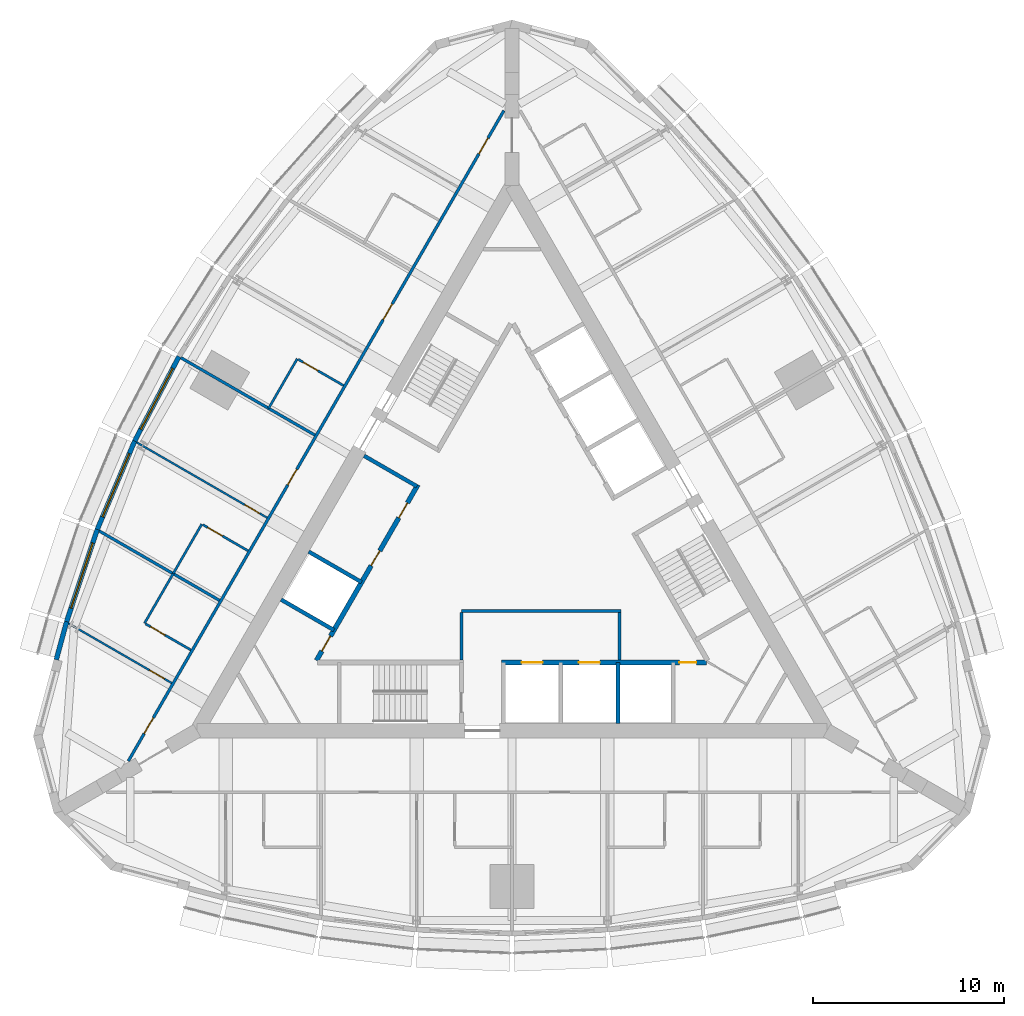
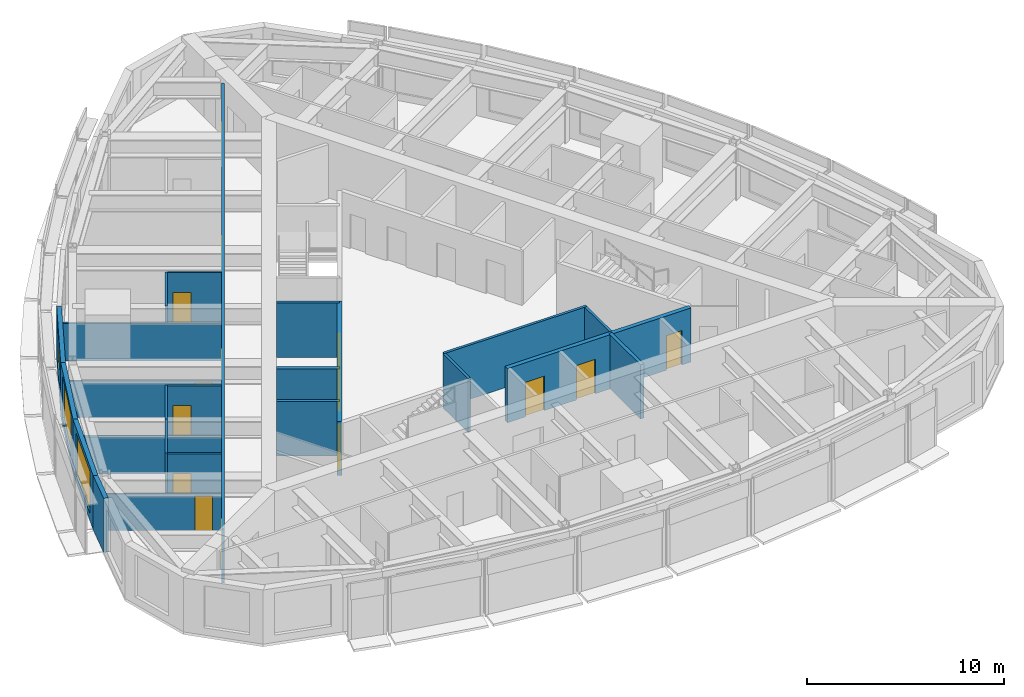
# One storey, part 10 of 15: 24 walls, 15 doors, 3 windows, 18 openings.
"""IFC4 building model written with IfcOpenShell, lengths in metres."""

from ifc_helpers import new_model, si_unit, direction, frame, frame_2d, origin, place, context, subcontext, project, spatial, rectangle, extrude, material, layer, layer_set, type_object, element, fill, save


model = new_model("IFC4")

# Units and contexts
model_context = context("Model", 3, precision=1e-05, world=origin(), true_north=direction((0.0, 1.0)))
body_context = subcontext(model_context, "Body", "Model", "MODEL_VIEW")
ifc_project = project(units=[si_unit("LENGTHUNIT", "METRE"), si_unit("AREAUNIT", "SQUARE_METRE"), si_unit("VOLUMEUNIT", "CUBIC_METRE"), si_unit("PLANEANGLEUNIT", "RADIAN"), si_unit("MASSUNIT", "GRAM", prefix="KILO")], contexts=[model_context])

# Site, building, storey
site_placement = place(None, origin())
site = spatial("IfcSite", under=ifc_project, at=site_placement, CompositionType="ELEMENT")
building_placement = place(site_placement, origin())
building = spatial("IfcBuilding", under=site, at=building_placement, Name="Trikona Tower", CompositionType="ELEMENT")
storey_placement = place(building_placement, frame((0.0, 0.0, 229.699951171875)))
storey = spatial("IfcBuildingStorey", under=building, at=storey_placement, Name="L61", CompositionType="ELEMENT", Elevation=229.699951171875)

# Wall
ifc_material_1 = material(Name="Metal stud and cement board", Category="gypsum")
ifc_layer_1 = layer(ifc_material_1, 0.1201171875)
ifc_layer_set_1 = layer_set([ifc_layer_1], Name="Bathroom wall 120")
wall_type_1 = type_object("IfcWallType", Name="Bathroom wall 120", PredefinedType="PLUMBINGWALL", material=ifc_layer_set_1)
wall_1_placement = place(storey_placement, frame((-11.25341796875, 9.961181640625, 0.0), z_axis=(0.0, 0.0, 1.0), x_axis=(-0.499990139034, -0.866031096941, 0.0)))
element("IfcWall", 1, at=wall_1_placement, inside=storey, type_object=wall_type_1, Name="Bathroom wall 6110.1", PredefinedType="PLUMBINGWALL", context=body_context, shape_type="SweptSolid", body=[
    extrude(rectangle(XDim=3.0, YDim=0.1201171875, at=frame_2d((1.5, 0.0))), origin(), (0.0, 0.0, 1.0), 3.35009765625),
])

# Wall, opening, door
wall_2_placement = place(storey_placement, frame((-8.82861328125, 8.561279296875, 0.0), z_axis=(0.0, 0.0, 1.0), x_axis=(-0.866035715982, 0.499982138324, 0.0)))
wall_2 = element("IfcWall", 2, at=wall_2_placement, inside=storey, type_object=wall_type_1, Name="Bathroom wall 6110.1", PredefinedType="PLUMBINGWALL", context=body_context, shape_type="SweptSolid", body=[
    extrude(rectangle(XDim=2.73974609375, YDim=0.1201171875, at=frame_2d((1.369873046875, 0.0))), origin(), (0.0, 0.0, 1.0), 3.35009765625),
])
opening_1_placement = place(wall_2_placement, frame((1.550048828125, 0.0, 0.0)))
opening_1 = element("IfcOpeningElement", 3, at=opening_1_placement, cuts=wall_2, Name="Opening D2", PredefinedType="OPENING", context=body_context, shape_type="SweptSolid", body=[
    extrude(rectangle(XDim=0.89990234375, YDim=2.1298828125, at=frame_2d((0.449951171875, 1.06494140625))), frame((0.0, 0.070068359375, 0.0), z_axis=(0.0, -1.0, 0.0), x_axis=(1.0, 0.0, 0.0)), (0.0, 0.0, 1.0), 0.14013671875),
])
ifc_material_2 = material(Name="Steel door frame with solid-core timber leaf", Category="steel")
door_type_1 = type_object("IfcDoorType", Name="Bathroom door 900x2130", OperationType="SLIDING_TO_LEFT", PredefinedType="DOOR", material=ifc_material_2)
door_1_placement = place(opening_1_placement, origin())
door_1 = element("IfcDoor", 4, at=door_1_placement, inside=storey, type_object=door_type_1, Name="Bathroom door 6110.1", OperationType="SLIDING_TO_LEFT", OverallHeight=2.1298828125, OverallWidth=0.89990234375, PredefinedType="DOOR", context=body_context, shape_type="SweptSolid", body=[
    extrude(rectangle(XDim=0.89990234375, YDim=2.1298828125, at=frame_2d((0.449951171875, 1.06494140625))), frame((0.0, 0.02490234375, 0.0), z_axis=(0.0, -1.0, 0.0), x_axis=(1.0, 0.0, 0.0)), (0.0, 0.0, 1.0), 0.050048828125),
])
fill(opening_1, door_1)

# Wall
wall_3_placement = place(storey_placement, frame((-16.25341796875, 1.301025390625, 0.0), z_axis=(0.0, 0.0, 1.0), x_axis=(-0.499990139034, -0.866031096941, 0.0)))
element("IfcWall", 5, at=wall_3_placement, inside=storey, type_object=wall_type_1, Name="Bathroom wall 6111.1", PredefinedType="PLUMBINGWALL", context=body_context, shape_type="SweptSolid", body=[
    extrude(rectangle(XDim=3.0, YDim=0.1201171875, at=frame_2d((1.5, 0.0))), origin(), (0.0, 0.0, 1.0), 3.35009765625),
])

# Wall, opening, door
wall_4_placement = place(storey_placement, frame((-13.82861328125, -0.09912109375, 0.0), z_axis=(0.0, 0.0, 1.0), x_axis=(-0.865997131366, 0.500048966069, 0.0)))
wall_4 = element("IfcWall", 6, at=wall_4_placement, inside=storey, type_object=wall_type_1, Name="Bathroom wall 6111.1", PredefinedType="PLUMBINGWALL", context=body_context, shape_type="SweptSolid", body=[
    extrude(rectangle(XDim=2.739990234375, YDim=0.1201171875, at=frame_2d((1.3701171875, 0.0))), origin(), (0.0, 0.0, 1.0), 3.35009765625),
])
opening_2_placement = place(wall_4_placement, frame((1.550048828125, 0.0, 0.0)))
opening_2 = element("IfcOpeningElement", 7, at=opening_2_placement, cuts=wall_4, Name="Opening D2", PredefinedType="OPENING", context=body_context, shape_type="SweptSolid", body=[
    extrude(rectangle(XDim=0.89990234375, YDim=2.1298828125, at=frame_2d((0.449951171875, 1.06494140625))), frame((0.0, 0.070068359375, 0.0), z_axis=(0.0, -1.0, 0.0), x_axis=(1.0, 0.0, 0.0)), (0.0, 0.0, 1.0), 0.14013671875),
])
door_2_placement = place(opening_2_placement, origin())
door_2 = element("IfcDoor", 8, at=door_2_placement, inside=storey, type_object=door_type_1, Name="Bathroom door 6111.1", OperationType="SLIDING_TO_LEFT", OverallHeight=2.1298828125, OverallWidth=0.89990234375, PredefinedType="DOOR", context=body_context, shape_type="SweptSolid", body=[
    extrude(rectangle(XDim=0.89990234375, YDim=2.1298828125, at=frame_2d((0.449951171875, 1.06494140625))), frame((0.0, 0.02490234375, 0.0), z_axis=(0.0, -1.0, 0.0), x_axis=(1.0, 0.0, 0.0)), (0.0, 0.0, 1.0), 0.050048828125),
])
fill(opening_2, door_2)

# Wall
wall_5_placement = place(storey_placement, frame((-17.75341796875, -1.297119140625, 0.0), z_axis=(0.0, 0.0, 1.0), x_axis=(-0.499990139034, -0.866031096941, 0.0)))
element("IfcWall", 9, at=wall_5_placement, inside=storey, type_object=wall_type_1, Name="Bathroom wall 6112.1", PredefinedType="PLUMBINGWALL", context=body_context, shape_type="SweptSolid", body=[
    extrude(rectangle(XDim=3.0, YDim=0.1201171875, at=frame_2d((1.5, 0.0))), origin(), (0.0, 0.0, 1.0), 3.35009765625),
])

# Wall, opening, door
wall_6_placement = place(storey_placement, frame((-16.82861328125, -5.295166015625, 0.0), z_axis=(0.0, 0.0, 1.0), x_axis=(-0.866035715982, 0.499982138324, 0.0)))
wall_6 = element("IfcWall", 10, at=wall_6_placement, inside=storey, type_object=wall_type_1, Name="Bathroom wall 6112.1", PredefinedType="PLUMBINGWALL", context=body_context, shape_type="SweptSolid", body=[
    extrude(rectangle(XDim=2.73974609375, YDim=0.1201171875, at=frame_2d((1.369873046875, 0.0))), origin(), (0.0, 0.0, 1.0), 3.35009765625),
])
opening_3_placement = place(wall_6_placement, frame((1.550048828125, 0.0, 0.0)))
opening_3 = element("IfcOpeningElement", 11, at=opening_3_placement, cuts=wall_6, Name="Opening D2", PredefinedType="OPENING", context=body_context, shape_type="SweptSolid", body=[
    extrude(rectangle(XDim=0.89990234375, YDim=2.1298828125, at=frame_2d((0.449951171875, 1.06494140625))), frame((0.0, 0.070068359375, 0.0), z_axis=(0.0, -1.0, 0.0), x_axis=(1.0, 0.0, 0.0)), (0.0, 0.0, 1.0), 0.14013671875),
])
door_3_placement = place(opening_3_placement, origin())
door_3 = element("IfcDoor", 12, at=door_3_placement, inside=storey, type_object=door_type_1, Name="Bathroom door 6112.1", OperationType="SLIDING_TO_LEFT", OverallHeight=2.1298828125, OverallWidth=0.89990234375, PredefinedType="DOOR", context=body_context, shape_type="SweptSolid", body=[
    extrude(rectangle(XDim=0.89990234375, YDim=2.1298828125, at=frame_2d((0.449951171875, 1.06494140625))), frame((0.0, 0.02490234375, 0.0), z_axis=(0.0, -1.0, 0.0), x_axis=(1.0, 0.0, 0.0)), (0.0, 0.0, 1.0), 0.050048828125),
])
fill(opening_3, door_3)

# Wall, openings, doors
ifc_material_3 = material(Name="Metal stud and gypsum board, 1-hour", Category="gypsum")
ifc_layer_2 = layer(ifc_material_3, 0.14990234375)
ifc_layer_set_2 = layer_set([ifc_layer_2], Name="Corridor wall 150")
wall_type_2 = type_object("IfcWallType", Name="Corridor wall 150", PredefinedType="PARTITIONING", material=ifc_layer_set_2)
wall_7_placement = place(storey_placement, frame((-0.425048828125, 22.96630859375, 0.0), z_axis=(0.0, 0.0, 1.0), x_axis=(-0.500000265775, -0.866025250339, 0.0)))
wall_7 = element("IfcWall", 13, at=wall_7_placement, inside=storey, type_object=wall_type_2, Name="Corridor wall L61-3", PredefinedType="PARTITIONING", context=body_context, shape_type="SweptSolid", body=[
    extrude(rectangle(XDim=39.35400390625, YDim=0.14990234375, at=frame_2d((19.677001953125, 0.0))), origin(), (0.0, 0.0, 1.0), 3.35009765625),
])
opening_4_placement = place(wall_7_placement, frame((1.6650390625, 0.0, 0.0)))
opening_4 = element("IfcOpeningElement", 14, at=opening_4_placement, cuts=wall_7, Name="Opening D1", PredefinedType="OPENING", context=body_context, shape_type="SweptSolid", body=[
    extrude(rectangle(XDim=0.949951171875, YDim=2.1298828125, at=frame_2d((0.47509765625, 1.06494140625))), frame((0.0, 0.0849609375, 0.0), z_axis=(0.0, -1.0, 0.0), x_axis=(1.0, 0.0, 0.0)), (0.0, 0.0, 1.0), 0.169921875),
])
opening_5_placement = place(wall_7_placement, frame((11.701904296875, 0.0, 0.0)))
opening_5 = element("IfcOpeningElement", 15, at=opening_5_placement, cuts=wall_7, Name="Opening D1", PredefinedType="OPENING", context=body_context, shape_type="SweptSolid", body=[
    extrude(rectangle(XDim=0.949951171875, YDim=2.1298828125, at=frame_2d((0.47509765625, 1.06494140625))), frame((0.0, 0.0849609375, 0.0), z_axis=(0.0, -1.0, 0.0), x_axis=(1.0, 0.0, 0.0)), (0.0, 0.0, 1.0), 0.169921875),
])
opening_6_placement = place(wall_7_placement, frame((21.701904296875, 0.0, 0.0)))
opening_6 = element("IfcOpeningElement", 16, at=opening_6_placement, cuts=wall_7, Name="Opening D1", PredefinedType="OPENING", context=body_context, shape_type="SweptSolid", body=[
    extrude(rectangle(XDim=0.949951171875, YDim=2.1298828125, at=frame_2d((0.47509765625, 1.06494140625))), frame((0.0, 0.0849609375, 0.0), z_axis=(0.0, -1.0, 0.0), x_axis=(1.0, 0.0, 0.0)), (0.0, 0.0, 1.0), 0.169921875),
])
opening_7_placement = place(wall_7_placement, frame((36.739013671875, 0.0, 0.0)))
opening_7 = element("IfcOpeningElement", 17, at=opening_7_placement, cuts=wall_7, Name="Opening D1", PredefinedType="OPENING", context=body_context, shape_type="SweptSolid", body=[
    extrude(rectangle(XDim=0.949951171875, YDim=2.1298828125, at=frame_2d((0.47509765625, 1.06494140625))), frame((0.0, 0.0849609375, 0.0), z_axis=(0.0, -1.0, 0.0), x_axis=(1.0, 0.0, 0.0)), (0.0, 0.0, 1.0), 0.169921875),
])
ifc_material_4 = material(Name="Steel door frame with solid-core timber leaf", Category="steel")
door_type_2 = type_object("IfcDoorType", Name="Guest room door 950x2130", OperationType="SINGLE_SWING_LEFT", PredefinedType="DOOR", material=ifc_material_4)
door_4_placement = place(opening_4_placement, origin())
door_4 = element("IfcDoor", 18, at=door_4_placement, inside=storey, type_object=door_type_2, Name="Room door 6109", OperationType="SINGLE_SWING_LEFT", OverallHeight=2.1298828125, OverallWidth=0.949951171875, PredefinedType="DOOR", context=body_context, shape_type="SweptSolid", body=[
    extrude(rectangle(XDim=0.949951171875, YDim=2.1298828125, at=frame_2d((0.47509765625, 1.06494140625))), frame((0.0, 0.02490234375, 0.0), z_axis=(0.0, -1.0, 0.0), x_axis=(1.0, 0.0, 0.0)), (0.0, 0.0, 1.0), 0.050048828125),
])
fill(opening_4, door_4)
door_5_placement = place(opening_5_placement, origin())
door_5 = element("IfcDoor", 19, at=door_5_placement, inside=storey, type_object=door_type_2, Name="Room door 6110", OperationType="SINGLE_SWING_RIGHT", OverallHeight=2.1298828125, OverallWidth=0.949951171875, PredefinedType="DOOR", context=body_context, shape_type="SweptSolid", body=[
    extrude(rectangle(XDim=0.949951171875, YDim=2.1298828125, at=frame_2d((0.47509765625, 1.06494140625))), frame((0.0, 0.02490234375, 0.0), z_axis=(0.0, -1.0, 0.0), x_axis=(1.0, 0.0, 0.0)), (0.0, 0.0, 1.0), 0.050048828125),
])
fill(opening_5, door_5)
door_6_placement = place(opening_6_placement, origin())
door_6 = element("IfcDoor", 20, at=door_6_placement, inside=storey, type_object=door_type_2, Name="Room door 6111", OperationType="SINGLE_SWING_LEFT", OverallHeight=2.1298828125, OverallWidth=0.949951171875, PredefinedType="DOOR", context=body_context, shape_type="SweptSolid", body=[
    extrude(rectangle(XDim=0.949951171875, YDim=2.1298828125, at=frame_2d((0.47509765625, 1.06494140625))), frame((0.0, 0.02490234375, 0.0), z_axis=(0.0, -1.0, 0.0), x_axis=(1.0, 0.0, 0.0)), (0.0, 0.0, 1.0), 0.050048828125),
])
fill(opening_6, door_6)
door_7_placement = place(opening_7_placement, origin())
door_7 = element("IfcDoor", 21, at=door_7_placement, inside=storey, type_object=door_type_2, Name="Room door 6112", OperationType="SINGLE_SWING_RIGHT", OverallHeight=2.1298828125, OverallWidth=0.949951171875, PredefinedType="DOOR", context=body_context, shape_type="SweptSolid", body=[
    extrude(rectangle(XDim=0.949951171875, YDim=2.1298828125, at=frame_2d((0.47509765625, 1.06494140625))), frame((0.0, 0.02490234375, 0.0), z_axis=(0.0, -1.0, 0.0), x_axis=(1.0, 0.0, 0.0)), (0.0, 0.0, 1.0), 0.050048828125),
])
fill(opening_7, door_7)

ifc_material_5 = material(Name="Concrete f'c 8000 psi", Category="concrete")
ifc_layer_3 = layer(ifc_material_5, 0.25)
ifc_layer_set_3 = layer_set([ifc_layer_3], Name="Hub wall 250")
wall_type_3 = type_object("IfcWallType", Name="Hub wall 250", PredefinedType="SOLIDWALL", material=ifc_layer_set_3)
wall_8_placement = place(storey_placement, frame((-0.550048828125, -5.951416015625, 0.0), z_axis=(0.0, 0.0, 1.0), x_axis=(1.0, 0.0, 0.0)))
wall_8 = element("IfcWall", 22, at=wall_8_placement, inside=storey, type_object=wall_type_3, Name="Lift lobby wall A2", PredefinedType="SOLIDWALL", context=body_context, shape_type="SweptSolid", body=[
    extrude(rectangle(XDim=10.73291015625, YDim=0.25, at=frame_2d((5.366455078125, 0.0))), origin(), (0.0, 0.0, 1.0), 3.35009765625),
])
opening_8_placement = place(wall_8_placement, frame((9.31396484375, 0.0, 0.0)))
opening_8 = element("IfcOpeningElement", 23, at=opening_8_placement, cuts=wall_8, Name="Opening D14", PredefinedType="OPENING", context=body_context, shape_type="SweptSolid", body=[
    extrude(rectangle(XDim=0.89990234375, YDim=2.1298828125, at=frame_2d((0.449951171875, 1.06494140625))), frame((0.0, 0.135009765625, 0.0), z_axis=(0.0, -1.0, 0.0), x_axis=(1.0, 0.0, 0.0)), (0.0, 0.0, 1.0), 0.27001953125),
])
opening_9_placement = place(wall_8_placement, frame((1.050048828125, 0.0, 0.0)))
opening_9 = element("IfcOpeningElement", 24, at=opening_9_placement, cuts=wall_8, Name="Opening LD", PredefinedType="OPENING", context=body_context, shape_type="SweptSolid", body=[
    extrude(rectangle(XDim=1.10009765625, YDim=2.1298828125, at=frame_2d((0.550048828125, 1.06494140625))), frame((0.0, 0.135009765625, 0.0), z_axis=(0.0, -1.0, 0.0), x_axis=(1.0, 0.0, 0.0)), (0.0, 0.0, 1.0), 0.27001953125),
])
opening_10_placement = place(wall_8_placement, frame((4.050048828125, 0.0, 0.0)))
opening_10 = element("IfcOpeningElement", 25, at=opening_10_placement, cuts=wall_8, Name="Opening LD", PredefinedType="OPENING", context=body_context, shape_type="SweptSolid", body=[
    extrude(rectangle(XDim=1.10009765625, YDim=2.1298828125, at=frame_2d((0.550048828125, 1.06494140625))), frame((0.0, 0.135009765625, 0.0), z_axis=(0.0, -1.0, 0.0), x_axis=(1.0, 0.0, 0.0)), (0.0, 0.0, 1.0), 0.27001953125),
])
ifc_material_6 = material(Name="Stainless steel lift landing door", Category="steel")
door_type_3 = type_object("IfcDoorType", Name="Lift landing door 1100x2130", OperationType="DOUBLE_DOOR_SLIDING", PredefinedType="USERDEFINED", material=ifc_material_6)
door_8_placement = place(opening_9_placement, origin())
door_8 = element("IfcDoor", 26, at=door_8_placement, inside=storey, type_object=door_type_3, Name="Lift landing door FF1", ObjectType="LIFT LANDING DOOR", OperationType="DOUBLE_DOOR_SLIDING", OverallHeight=2.1298828125, OverallWidth=1.10009765625, PredefinedType="USERDEFINED", context=body_context, shape_type="SweptSolid", body=[
    extrude(rectangle(XDim=1.10009765625, YDim=2.1298828125, at=frame_2d((0.550048828125, 1.06494140625))), frame((0.0, 0.02490234375, 0.0), z_axis=(0.0, -1.0, 0.0), x_axis=(1.0, 0.0, 0.0)), (0.0, 0.0, 1.0), 0.050048828125),
])
fill(opening_9, door_8)
door_9_placement = place(opening_10_placement, origin())
door_9 = element("IfcDoor", 27, at=door_9_placement, inside=storey, type_object=door_type_3, Name="Lift landing door FF2", ObjectType="LIFT LANDING DOOR", OperationType="DOUBLE_DOOR_SLIDING", OverallHeight=2.1298828125, OverallWidth=1.10009765625, PredefinedType="USERDEFINED", context=body_context, shape_type="SweptSolid", body=[
    extrude(rectangle(XDim=1.10009765625, YDim=2.1298828125, at=frame_2d((0.550048828125, 1.06494140625))), frame((0.0, 0.02490234375, 0.0), z_axis=(0.0, -1.0, 0.0), x_axis=(1.0, 0.0, 0.0)), (0.0, 0.0, 1.0), 0.050048828125),
])
fill(opening_10, door_9)
ifc_material_7 = material(Name="Hollow metal door and frame", Category="steel")
door_type_4 = type_object("IfcDoorType", Name="Service room door 900x2130", OperationType="SINGLE_SWING_LEFT", PredefinedType="DOOR", material=ifc_material_7)
door_10_placement = place(opening_8_placement, origin())
door_10 = element("IfcDoor", 28, at=door_10_placement, inside=storey, type_object=door_type_4, Name="Door Linen store LIN", OperationType="SINGLE_SWING_RIGHT", OverallHeight=2.1298828125, OverallWidth=0.89990234375, PredefinedType="DOOR", context=body_context, shape_type="SweptSolid", body=[
    extrude(rectangle(XDim=0.89990234375, YDim=2.1298828125, at=frame_2d((0.449951171875, 1.06494140625))), frame((0.0, 0.02490234375, 0.0), z_axis=(0.0, -1.0, 0.0), x_axis=(1.0, 0.0, 0.0)), (0.0, 0.0, 1.0), 0.050048828125),
])
fill(opening_8, door_10)

wall_9_placement = place(storey_placement, frame((-4.928955078125, 3.365478515625, 0.0), z_axis=(0.0, 0.0, 1.0), x_axis=(-0.499991433582, -0.866030349552, 0.0)))
wall_9 = element("IfcWall", 29, at=wall_9_placement, inside=storey, type_object=wall_type_3, Name="Lift lobby wall C2", PredefinedType="SOLIDWALL", context=body_context, shape_type="SweptSolid", body=[
    extrude(rectangle(XDim=10.633056640625, YDim=0.25, at=frame_2d((5.31640625, 0.0))), origin(), (0.0, 0.0, 1.0), 3.35009765625),
])
opening_11_placement = place(wall_9_placement, frame((9.1640625, 0.0, 0.0)))
opening_11 = element("IfcOpeningElement", 30, at=opening_11_placement, cuts=wall_9, Name="Opening D14", PredefinedType="OPENING", context=body_context, shape_type="SweptSolid", body=[
    extrude(rectangle(XDim=0.89990234375, YDim=2.1298828125, at=frame_2d((0.449951171875, 1.06494140625))), frame((0.0, 0.135009765625, 0.0), z_axis=(0.0, -1.0, 0.0), x_axis=(1.0, 0.0, 0.0)), (0.0, 0.0, 1.0), 0.27001953125),
])
opening_12_placement = place(wall_9_placement, frame((1.10009765625, 0.0, 0.0)))
opening_12 = element("IfcOpeningElement", 31, at=opening_12_placement, cuts=wall_9, Name="Opening D14", PredefinedType="OPENING", context=body_context, shape_type="SweptSolid", body=[
    extrude(rectangle(XDim=0.89990234375, YDim=2.1298828125, at=frame_2d((0.449951171875, 1.06494140625))), frame((0.0, 0.135009765625, 0.0), z_axis=(0.0, -1.0, 0.0), x_axis=(1.0, 0.0, 0.0)), (0.0, 0.0, 1.0), 0.27001953125),
])
opening_13_placement = place(wall_9_placement, frame((4.0, 0.0, 0.0)))
opening_13 = element("IfcOpeningElement", 32, at=opening_13_placement, cuts=wall_9, Name="Opening D14", PredefinedType="OPENING", context=body_context, shape_type="SweptSolid", body=[
    extrude(rectangle(XDim=0.89990234375, YDim=2.1298828125, at=frame_2d((0.449951171875, 1.06494140625))), frame((0.0, 0.135009765625, 0.0), z_axis=(0.0, -1.0, 0.0), x_axis=(1.0, 0.0, 0.0)), (0.0, 0.0, 1.0), 0.27001953125),
])
door_11_placement = place(opening_11_placement, origin())
door_11 = element("IfcDoor", 33, at=door_11_placement, inside=storey, type_object=door_type_4, Name="Door Ice and vending ICE", OperationType="SINGLE_SWING_RIGHT", OverallHeight=2.1298828125, OverallWidth=0.89990234375, PredefinedType="DOOR", context=body_context, shape_type="SweptSolid", body=[
    extrude(rectangle(XDim=0.89990234375, YDim=2.1298828125, at=frame_2d((0.449951171875, 1.06494140625))), frame((0.0, 0.02490234375, 0.0), z_axis=(0.0, -1.0, 0.0), x_axis=(1.0, 0.0, 0.0)), (0.0, 0.0, 1.0), 0.050048828125),
])
fill(opening_11, door_11)
door_12_placement = place(opening_12_placement, origin())
door_12 = element("IfcDoor", 34, at=door_12_placement, inside=storey, type_object=door_type_4, Name="Door Storage STO1", OperationType="SINGLE_SWING_LEFT", OverallHeight=2.1298828125, OverallWidth=0.89990234375, PredefinedType="DOOR", context=body_context, shape_type="SweptSolid", body=[
    extrude(rectangle(XDim=0.89990234375, YDim=2.1298828125, at=frame_2d((0.449951171875, 1.06494140625))), frame((0.0, 0.02490234375, 0.0), z_axis=(0.0, -1.0, 0.0), x_axis=(1.0, 0.0, 0.0)), (0.0, 0.0, 1.0), 0.050048828125),
])
fill(opening_12, door_12)
door_13_placement = place(opening_13_placement, origin())
door_13 = element("IfcDoor", 35, at=door_13_placement, inside=storey, type_object=door_type_4, Name="Door Storage STO1", OperationType="SINGLE_SWING_RIGHT", OverallHeight=2.1298828125, OverallWidth=0.89990234375, PredefinedType="DOOR", context=body_context, shape_type="SweptSolid", body=[
    extrude(rectangle(XDim=0.89990234375, YDim=2.1298828125, at=frame_2d((0.449951171875, 1.06494140625))), frame((0.0, 0.02490234375, 0.0), z_axis=(0.0, -1.0, 0.0), x_axis=(1.0, 0.0, 0.0)), (0.0, 0.0, 1.0), 0.050048828125),
])
fill(opening_13, door_13)

# Wall, opening, window
ifc_material_8 = material(Name="Insulated precast concrete spandrel panel", Category="concrete")
ifc_layer_4 = layer(ifc_material_8, 0.25)
ifc_layer_set_4 = layer_set([ifc_layer_4], Name="Inner skin wall 250")
wall_type_4 = type_object("IfcWallType", Name="Inner skin wall 250", PredefinedType="STANDARD", material=ifc_layer_set_4)
wall_10_placement = place(storey_placement, frame((-17.450439453125, 10.080810546875, 0.0), z_axis=(0.0, 0.0, 1.0), x_axis=(-0.463976002579, -0.885847768542, 0.0)))
wall_10 = element("IfcWall", 36, at=wall_10_placement, inside=storey, type_object=wall_type_4, Name="External wall L61-28", PredefinedType="STANDARD", context=body_context, shape_type="SweptSolid", body=[
    extrude(rectangle(XDim=5.004150390625, YDim=0.25, at=frame_2d((2.501953125, 0.0))), origin(), (0.0, 0.0, 1.0), 3.35009765625),
])
opening_14_placement = place(wall_10_placement, frame((0.7021484375, 0.0, 0.449951171875)))
opening_14 = element("IfcOpeningElement", 37, at=opening_14_placement, cuts=wall_10, Name="Opening W3626", PredefinedType="OPENING", context=body_context, shape_type="SweptSolid", body=[
    extrude(rectangle(XDim=3.60009765625, YDim=2.60009765625, at=frame_2d((1.800048828125, 1.300048828125))), frame((0.0, 0.135009765625, 0.0), z_axis=(0.0, -1.0, 0.0), x_axis=(1.0, 0.0, 0.0)), (0.0, 0.0, 1.0), 0.27001953125),
])
ifc_material_9 = material(Name="Aluminium-framed double glazing", Category="aluminium")
window_type = type_object("IfcWindowType", Name="Window 3600x2600", PartitioningType="SINGLE_PANEL", PredefinedType="WINDOW", material=ifc_material_9)
window_1_placement = place(opening_14_placement, origin())
window_1 = element("IfcWindow", 38, at=window_1_placement, inside=storey, type_object=window_type, Name="Window 6111", OverallHeight=2.60009765625, OverallWidth=3.60009765625, PartitioningType="SINGLE_PANEL", PredefinedType="WINDOW", context=body_context, shape_type="SweptSolid", body=[
    extrude(rectangle(XDim=3.60009765625, YDim=2.60009765625, at=frame_2d((1.800048828125, 1.300048828125))), frame((0.0, 0.030029296875, 0.0), z_axis=(0.0, -1.0, 0.0), x_axis=(1.0, 0.0, 0.0)), (0.0, 0.0, 1.0), 0.06005859375),
])
fill(opening_14, window_1)

wall_11_placement = place(storey_placement, frame((-19.767578125, 5.656982421875, 0.0), z_axis=(0.0, 0.0, 1.0), x_axis=(-0.390096809471, -0.920773848044, 0.0)))
wall_11 = element("IfcWall", 39, at=wall_11_placement, inside=storey, type_object=wall_type_4, Name="External wall L61-29", PredefinedType="STANDARD", context=body_context, shape_type="SweptSolid", body=[
    extrude(rectangle(XDim=5.0380859375, YDim=0.25, at=frame_2d((2.51904296875, 0.0))), origin(), (0.0, 0.0, 1.0), 3.35009765625),
])
opening_15_placement = place(wall_11_placement, frame((0.718994140625, 0.0, 0.449951171875)))
opening_15 = element("IfcOpeningElement", 40, at=opening_15_placement, cuts=wall_11, Name="Opening W3626", PredefinedType="OPENING", context=body_context, shape_type="SweptSolid", body=[
    extrude(rectangle(XDim=3.60009765625, YDim=2.60009765625, at=frame_2d((1.800048828125, 1.300048828125))), frame((0.0, 0.135009765625, 0.0), z_axis=(0.0, -1.0, 0.0), x_axis=(1.0, 0.0, 0.0)), (0.0, 0.0, 1.0), 0.27001953125),
])
window_2_placement = place(opening_15_placement, origin())
window_2 = element("IfcWindow", 41, at=window_2_placement, inside=storey, type_object=window_type, Name="Window 6111.1", OverallHeight=2.60009765625, OverallWidth=3.60009765625, PartitioningType="SINGLE_PANEL", PredefinedType="WINDOW", context=body_context, shape_type="SweptSolid", body=[
    extrude(rectangle(XDim=3.60009765625, YDim=2.60009765625, at=frame_2d((1.800048828125, 1.300048828125))), frame((0.0, 0.030029296875, 0.0), z_axis=(0.0, -1.0, 0.0), x_axis=(1.0, 0.0, 0.0)), (0.0, 0.0, 1.0), 0.06005859375),
])
fill(opening_15, window_2)

wall_12_placement = place(storey_placement, frame((-21.729248046875, 1.027587890625, 0.0), z_axis=(0.0, 0.0, 1.0), x_axis=(-0.315108478109, -0.949055660656, 0.0)))
wall_12 = element("IfcWall", 42, at=wall_12_placement, inside=storey, type_object=wall_type_4, Name="External wall L61-30", PredefinedType="STANDARD", context=body_context, shape_type="SweptSolid", body=[
    extrude(rectangle(XDim=5.10498046875, YDim=0.25, at=frame_2d((2.552490234375, 0.0))), origin(), (0.0, 0.0, 1.0), 3.35009765625),
])
opening_16_placement = place(wall_12_placement, frame((0.75244140625, 0.0, 0.449951171875)))
opening_16 = element("IfcOpeningElement", 43, at=opening_16_placement, cuts=wall_12, Name="Opening W3626", PredefinedType="OPENING", context=body_context, shape_type="SweptSolid", body=[
    extrude(rectangle(XDim=3.60009765625, YDim=2.60009765625, at=frame_2d((1.800048828125, 1.300048828125))), frame((0.0, 0.135009765625, 0.0), z_axis=(0.0, -1.0, 0.0), x_axis=(1.0, 0.0, 0.0)), (0.0, 0.0, 1.0), 0.27001953125),
])
window_3_placement = place(opening_16_placement, origin())
window_3 = element("IfcWindow", 44, at=window_3_placement, inside=storey, type_object=window_type, Name="Window 6112.1", OverallHeight=2.60009765625, OverallWidth=3.60009765625, PartitioningType="SINGLE_PANEL", PredefinedType="WINDOW", context=body_context, shape_type="SweptSolid", body=[
    extrude(rectangle(XDim=3.60009765625, YDim=2.60009765625, at=frame_2d((1.800048828125, 1.300048828125))), frame((0.0, 0.030029296875, 0.0), z_axis=(0.0, -1.0, 0.0), x_axis=(1.0, 0.0, 0.0)), (0.0, 0.0, 1.0), 0.06005859375),
])
fill(opening_16, window_3)

# Walls
wall_13_placement = place(storey_placement, frame((-23.335693359375, -3.810791015625, 0.0), z_axis=(0.0, 0.0, 1.0), x_axis=(-0.262867703986, -0.964831887015, 0.0)))
element("IfcWall", 45, at=wall_13_placement, inside=storey, type_object=wall_type_4, Name="External wall L61-31", PredefinedType="STANDARD", context=body_context, shape_type="SweptSolid", body=[
    extrude(rectangle(XDim=2.068359375, YDim=0.25, at=frame_2d((1.0341796875, 0.0))), origin(), (0.0, 0.0, 1.0), 3.35009765625),
])
ifc_material_10 = material(Name="Metal stud and gypsum board, 2-hour shaft wall", Category="gypsum")
ifc_layer_5 = layer(ifc_material_10, 0.14990234375)
ifc_layer_set_5 = layer_set([ifc_layer_5], Name="Lobby wall 150")
wall_type_5 = type_object("IfcWallType", Name="Lobby wall 150", PredefinedType="PARTITIONING", material=ifc_layer_set_5)
wall_14_placement = place(storey_placement, frame((-2.64990234375, -3.251220703125, 0.0), z_axis=(0.0, 0.0, 1.0), x_axis=(1.0, 0.0, 0.0)))
element("IfcWall", 46, at=wall_14_placement, inside=storey, type_object=wall_type_5, Name="Fire service lift lobby wall 1", PredefinedType="PARTITIONING", context=body_context, shape_type="SweptSolid", body=[
    extrude(rectangle(XDim=8.349853515625, YDim=0.14990234375, at=frame_2d((4.1748046875, 0.0))), origin(), (0.0, 0.0, 1.0), 3.35009765625),
])
for number, where, z_axis, x_axis, name in (
    (47, (-2.64990234375, -5.826416015625, 0.0), (0.0, 0.0, 1.0), (0.0, 1.0, 0.0), "Fire service lift lobby wall 2"),
    (48, (5.625, -5.826416015625, 0.0), (0.0, 0.0, 1.0), (0.0, 1.0, 0.0), "Fire service lift lobby wall 3"),
):
    element("IfcWall", number, at=place(storey_placement, frame(where, z_axis=z_axis, x_axis=x_axis)), inside=storey, type_object=wall_type_5, Name=name, PredefinedType="PARTITIONING", context=body_context, shape_type="SweptSolid", body=[
        extrude(rectangle(XDim=2.5, YDim=0.14990234375, at=frame_2d((1.25, 0.0))), origin(), (0.0, 0.0, 1.0), 3.35009765625),
    ])
ifc_material_11 = material(Name="Metal stud and gypsum board, 1-hour acoustic", Category="gypsum")
ifc_layer_6 = layer(ifc_material_11, 0.14990234375)
ifc_layer_set_6 = layer_set([ifc_layer_6], Name="Party wall 150")
wall_type_6 = type_object("IfcWallType", Name="Party wall 150", PredefinedType="PARTITIONING", material=ifc_layer_set_6)
wall_15_placement = place(storey_placement, frame((-10.32861328125, 5.963134765625, 0.0), z_axis=(0.0, 0.0, 1.0), x_axis=(-0.866016460812, 0.500015489362, 0.0)))
element("IfcWall", 49, at=wall_15_placement, inside=storey, type_object=wall_type_6, Name="Partition L61 F3 u0", PredefinedType="PARTITIONING", context=body_context, shape_type="SweptSolid", body=[
    extrude(rectangle(XDim=8.101318359375, YDim=0.14990234375, at=frame_2d((4.05078125, 0.0))), origin(), (0.0, 0.0, 1.0), 2.30859375),
])
wall_16_placement = place(storey_placement, frame((-15.32861328125, -2.697021484375, 0.0), z_axis=(0.0, 0.0, 1.0), x_axis=(-0.866032413668, 0.499987858329, 0.0)))
element("IfcWall", 50, at=wall_16_placement, inside=storey, type_object=wall_type_6, Name="Partition L61 F3 u10", PredefinedType="PARTITIONING", context=body_context, shape_type="SweptSolid", body=[
    extrude(rectangle(XDim=7.272705078125, YDim=0.14990234375, at=frame_2d((3.63623046875, 0.0))), origin(), (0.0, 0.0, 1.0), 2.30859375),
])
ifc_material_12 = material(Name="Concrete f'c 8000 psi", Category="concrete")
ifc_layer_7 = layer(ifc_material_12, 0.199951171875)
ifc_layer_set_7 = layer_set([ifc_layer_7], Name="Shaft wall 200")
wall_type_7 = type_object("IfcWallType", Name="Shaft wall 200", PredefinedType="SOLIDWALL", material=ifc_layer_set_7)
for number, where, z_axis, x_axis, name in (
    (51, (5.550048828125, -5.951416015625, 0.0), (0.0, 0.0, 1.0), (0.0, -1.0, 0.0), "Shaft wall A5"),
    (52, (-4.97900390625, 3.27880859375, 0.0), (0.0, 0.0, 1.0), (-0.866042017984, 0.499971222258, 0.0), "Shaft wall C3"),
    (53, (-7.87890625, -1.744140625, 0.0), (0.0, 0.0, 1.0), (-0.866042017984, 0.499971222258, 0.0), "Shaft wall C5"),
):
    element("IfcWall", number, at=place(storey_placement, frame(where, z_axis=z_axis, x_axis=x_axis)), inside=storey, type_object=wall_type_7, Name=name, PredefinedType="SOLIDWALL", context=body_context, shape_type="SweptSolid", body=[
        extrude(rectangle(XDim=3.199951171875, YDim=0.199951171875, at=frame_2d((1.60009765625, 0.0))), origin(), (0.0, 0.0, 1.0), 3.35009765625),
    ])
wall_17_placement = place(storey_placement, frame((-9.3291015625, -4.255615234375, 0.0), z_axis=(0.0, 0.0, 1.0), x_axis=(-0.866022944154, 0.50000426018, 0.0)))
element("IfcWall", 54, at=wall_17_placement, inside=storey, type_object=wall_type_7, Name="Shaft wall C6", PredefinedType="SOLIDWALL", context=body_context, shape_type="SweptSolid", body=[
    extrude(rectangle(XDim=3.19970703125, YDim=0.199951171875, at=frame_2d((1.599853515625, 0.0))), origin(), (0.0, 0.0, 1.0), 3.35009765625),
])

# Wall, opening, door
ifc_material_13 = material(Name="Metal stud and gypsum board, acoustic", Category="gypsum")
ifc_layer_8 = layer(ifc_material_13, 0.10009765625)
ifc_layer_set_8 = layer_set([ifc_layer_8], Name="Suite partition 100")
wall_type_8 = type_object("IfcWallType", Name="Suite partition 100", PredefinedType="PARTITIONING", material=ifc_layer_set_8)
wall_18_placement = place(storey_placement, frame((-12.82861328125, 1.633056640625, 0.0), z_axis=(0.0, 0.0, 1.0), x_axis=(-0.866030558329, 0.49999107196, 0.0)))
wall_18 = element("IfcWall", 55, at=wall_18_placement, inside=storey, type_object=wall_type_8, Name="Suite partition L61 F3 u5", PredefinedType="PARTITIONING", context=body_context, shape_type="SweptSolid", body=[
    extrude(rectangle(XDim=7.893798828125, YDim=0.10009765625, at=frame_2d((3.94677734375, 0.0))), origin(), (0.0, 0.0, 1.0), 2.25),
])
opening_17_placement = place(wall_18_placement, frame((0.449951171875, 0.0, 0.0)))
opening_17 = element("IfcOpeningElement", 56, at=opening_17_placement, cuts=wall_18, Name="Opening D13", PredefinedType="OPENING", context=body_context, shape_type="SweptSolid", body=[
    extrude(rectangle(XDim=0.89990234375, YDim=2.1298828125, at=frame_2d((0.449951171875, 1.06494140625))), frame((0.0, 0.06005859375, 0.0), z_axis=(0.0, -1.0, 0.0), x_axis=(1.0, 0.0, 0.0)), (0.0, 0.0, 1.0), 0.1201171875),
])
ifc_material_14 = material(Name="Steel door frame with solid-core timber leaf", Category="steel")
door_type_5 = type_object("IfcDoorType", Name="Suite door 900x2130", OperationType="SINGLE_SWING_LEFT", PredefinedType="DOOR", material=ifc_material_14)
door_14_placement = place(opening_17_placement, origin())
door_14 = element("IfcDoor", 57, at=door_14_placement, inside=storey, type_object=door_type_5, Name="Suite door 6111", OperationType="SINGLE_SWING_LEFT", OverallHeight=2.1298828125, OverallWidth=0.89990234375, PredefinedType="DOOR", context=body_context, shape_type="SweptSolid", body=[
    extrude(rectangle(XDim=0.89990234375, YDim=2.1298828125, at=frame_2d((0.449951171875, 1.06494140625))), frame((0.0, 0.02490234375, 0.0), z_axis=(0.0, -1.0, 0.0), x_axis=(1.0, 0.0, 0.0)), (0.0, 0.0, 1.0), 0.050048828125),
])
fill(opening_17, door_14)

wall_19_placement = place(storey_placement, frame((-17.82861328125, -7.027099609375, 0.0), z_axis=(0.0, 0.0, 1.0), x_axis=(-0.866026604282, 0.499997920671, 0.0)))
wall_19 = element("IfcWall", 58, at=wall_19_placement, inside=storey, type_object=wall_type_8, Name="Suite partition L61 F3 u15", PredefinedType="PARTITIONING", context=body_context, shape_type="SweptSolid", body=[
    extrude(rectangle(XDim=6.23974609375, YDim=0.10009765625, at=frame_2d((3.119873046875, 0.0))), origin(), (0.0, 0.0, 1.0), 2.25),
])
opening_18_placement = place(wall_19_placement, frame((0.449951171875, 0.0, 0.0)))
opening_18 = element("IfcOpeningElement", 59, at=opening_18_placement, cuts=wall_19, Name="Opening D13", PredefinedType="OPENING", context=body_context, shape_type="SweptSolid", body=[
    extrude(rectangle(XDim=0.89990234375, YDim=2.1298828125, at=frame_2d((0.449951171875, 1.06494140625))), frame((0.0, 0.06005859375, 0.0), z_axis=(0.0, -1.0, 0.0), x_axis=(1.0, 0.0, 0.0)), (0.0, 0.0, 1.0), 0.1201171875),
])
door_15_placement = place(opening_18_placement, origin())
door_15 = element("IfcDoor", 60, at=door_15_placement, inside=storey, type_object=door_type_5, Name="Suite door 6112", OperationType="SINGLE_SWING_LEFT", OverallHeight=2.1298828125, OverallWidth=0.89990234375, PredefinedType="DOOR", context=body_context, shape_type="SweptSolid", body=[
    extrude(rectangle(XDim=0.89990234375, YDim=2.1298828125, at=frame_2d((0.449951171875, 1.06494140625))), frame((0.0, 0.02490234375, 0.0), z_axis=(0.0, -1.0, 0.0), x_axis=(1.0, 0.0, 0.0)), (0.0, 0.0, 1.0), 0.050048828125),
])
fill(opening_18, door_15)

save(model, "model.ifc")
